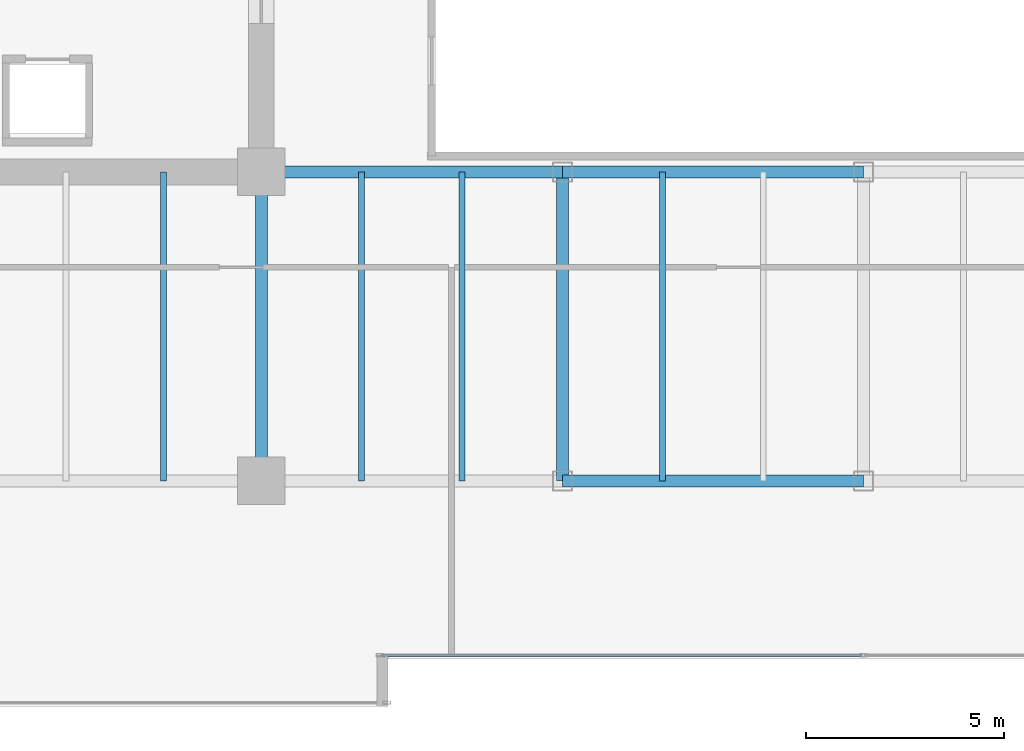
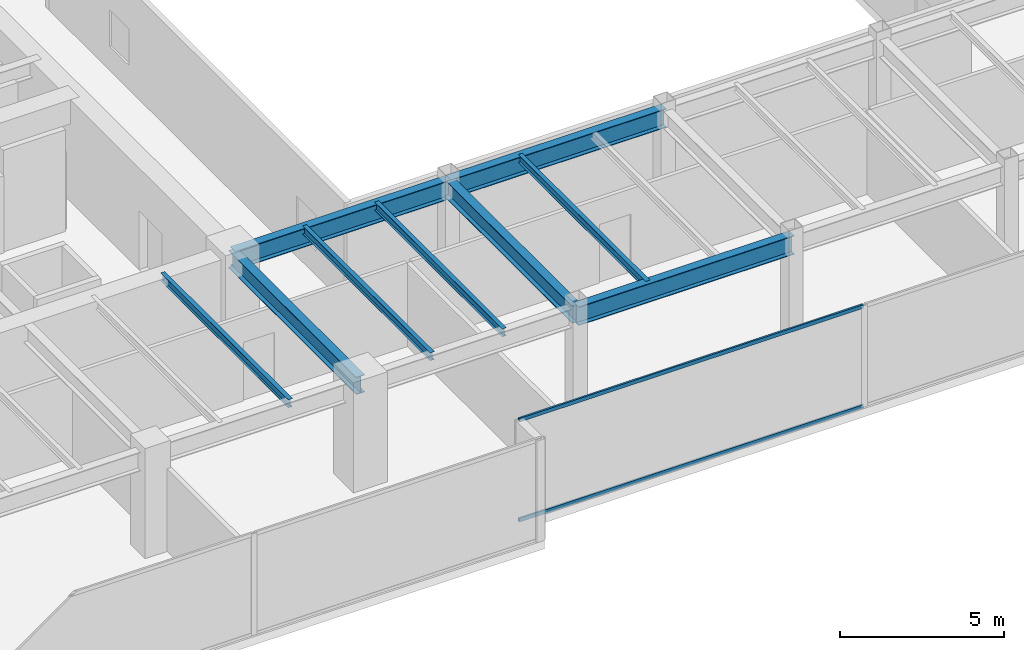
# One storey, part 5 of 30: 9 beams, 2 members, 1 element without a shape of its own.
"""IFC4 building model written with IfcOpenShell, lengths in metres."""

from ifc_helpers import new_model, si_unit, direction, frame, origin, origin_2d, place, context, subcontext, project, spatial, hollow_rectangle, i_section, extrude, source, transform, mapped, material, layer, layer_set, material_profile, profile_set, type_object, type_shapes, element, aggregate, save


model = new_model("IFC4")

# Units and contexts
model_context = context("Model", 3, precision=1e-05, world=origin(), true_north=direction((0.0, 1.0)))
body_context = subcontext(model_context, "Body", "Model", "MODEL_VIEW")
ifc_project = project(units=[si_unit("LENGTHUNIT", "METRE"), si_unit("AREAUNIT", "SQUARE_METRE"), si_unit("VOLUMEUNIT", "CUBIC_METRE"), si_unit("PLANEANGLEUNIT", "RADIAN"), si_unit("MASSUNIT", "GRAM", prefix="KILO")], contexts=[model_context])

# Site, building, storey
site_placement = place(None, origin())
site = spatial("IfcSite", under=ifc_project, at=site_placement, CompositionType="ELEMENT")
building_placement = place(site_placement, origin())
building = spatial("IfcBuilding", under=site, at=building_placement, Name="Haelvirn Gate Laboratories", CompositionType="ELEMENT")
storey_placement = place(building_placement, frame((0.0, 0.0, 105.10009765625)))
storey = spatial("IfcBuildingStorey", under=building, at=storey_placement, Name="L25", CompositionType="ELEMENT", Elevation=105.10009765625)

# Beams
ifc_material_1 = material(Name="Steel SM355", Category="steel")
ifc_material_profile_1 = material_profile(ifc_material_1, i_section(OverallWidth=0.300048828125, OverallDepth=0.64990234375, WebThickness=0.012939453125, FlangeThickness=0.02197265625, at=origin_2d()), Name="H-650x300x13x22")
ifc_profile_set_1 = profile_set([ifc_material_profile_1], Name="Steel SM355")
beam_type_1 = type_object("IfcBeamType", Name="BM-G-650", PredefinedType="BEAM", material=ifc_profile_set_1)
shared_shape_1 = source(origin(), body_context, "Body", "SweptSolid", [
    extrude(i_section(OverallWidth=0.300048828125, OverallDepth=0.64990234375, WebThickness=0.012939453125, FlangeThickness=0.02197265625, at=origin_2d()), origin(), (0.0, 0.0, 1.0), 7.800048828125),
])
type_shapes(beam_type_1, [shared_shape_1])
for number, where, z_axis, x_axis, name in (
    (1, (22.199951171875, 7.0, 3.46484375), (0.0, 1.0, 0.0), (-1.0, 0.0, 0.0), "L25 Frame Girder X22.2 (7.0-14.8)"),
    (2, (29.800048828125, 7.0, 3.46484375), (0.0, 1.0, 0.0), (-1.0, 0.0, 0.0), "L25 Frame Girder X29.8 (7.0-14.8)"),
):
    element("IfcBeam", number, at=place(storey_placement, frame(where, z_axis=z_axis, x_axis=x_axis)), inside=storey, type_object=beam_type_1, Name=name, PredefinedType="BEAM", context=body_context, shape_type="MappedRepresentation", body=[
        mapped(shared_shape_1, transform((0.0, 0.0, 0.0), scale=1.0)),
    ])
ifc_material_profile_2 = material_profile(ifc_material_1, i_section(OverallWidth=0.300048828125, OverallDepth=0.699951171875, WebThickness=0.012939453125, FlangeThickness=0.02392578125, at=origin_2d()), Name="H-700x300x13x24")
ifc_profile_set_2 = profile_set([ifc_material_profile_2], Name="Steel SM355")
beam_type_2 = type_object("IfcBeamType", Name="BM-G-700", PredefinedType="BEAM", material=ifc_profile_set_2)
shared_shape_2 = source(origin(), body_context, "Body", "SweptSolid", [
    extrude(i_section(OverallWidth=0.300048828125, OverallDepth=0.699951171875, WebThickness=0.012939453125, FlangeThickness=0.02392578125, at=origin_2d()), origin(), (0.0, 0.0, 1.0), 7.60009765625),
])
beam_placement = place(storey_placement, frame((22.199951171875, 14.800048828125, 3.43994140625), z_axis=(1.0, 0.0, 0.0), x_axis=(0.0, 1.0, 0.0)))
element("IfcBeam", 3, at=beam_placement, inside=storey, type_object=beam_type_2, Name="L25 Primary Girder Y14.8 (22.2-29.8)", PredefinedType="BEAM", context=body_context, shape_type="MappedRepresentation", body=[
    mapped(shared_shape_2, transform((0.0, 0.0, 0.0), scale=1.0)),
])
shared_shape_3 = source(origin(), body_context, "Body", "SweptSolid", [
    extrude(i_section(OverallWidth=0.300048828125, OverallDepth=0.699951171875, WebThickness=0.012939453125, FlangeThickness=0.02392578125, at=origin_2d()), origin(), (0.0, 0.0, 1.0), 7.599853515625),
])
type_shapes(beam_type_2, [shared_shape_2, shared_shape_3])
for number, where, z_axis, x_axis, name in (
    (4, (29.800048828125, 7.0, 3.43994140625), (1.0, 0.0, 0.0), (0.0, 1.0, 0.0), "L25 Primary Girder Y7.0 (29.8-37.4)"),
    (5, (29.800048828125, 14.800048828125, 3.43994140625), (1.0, 0.0, 0.0), (0.0, 1.0, 0.0), "L25 Primary Girder Y14.8 (29.8-37.4)"),
):
    element("IfcBeam", number, at=place(storey_placement, frame(where, z_axis=z_axis, x_axis=x_axis)), inside=storey, type_object=beam_type_2, Name=name, PredefinedType="BEAM", context=body_context, shape_type="MappedRepresentation", body=[
        mapped(shared_shape_3, transform((0.0, 0.0, 0.0), scale=1.0)),
    ])
ifc_material_profile_3 = material_profile(ifc_material_1, i_section(OverallWidth=0.14990234375, OverallDepth=0.300048828125, WebThickness=0.006591796875, FlangeThickness=0.009033203125, at=origin_2d()), Name="H-300x150x6.5x9")
ifc_profile_set_3 = profile_set([ifc_material_profile_3], Name="Steel SM355")
beam_type_3 = type_object("IfcBeamType", Name="BM-J-300", PredefinedType="JOIST", material=ifc_profile_set_3)
shared_shape_4 = source(origin(), body_context, "Body", "SweptSolid", [
    extrude(i_section(OverallWidth=0.14990234375, OverallDepth=0.300048828125, WebThickness=0.006591796875, FlangeThickness=0.009033203125, at=origin_2d()), origin(), (0.0, 0.0, 1.0), 7.800048828125),
])
type_shapes(beam_type_3, [shared_shape_4])
for number, where, z_axis, x_axis, name in (
    (6, (19.72998046875, 7.0, 3.639892578125), (0.0, 1.0, 0.0), (-1.0, 0.0, 0.0), "L25 Composite Lab Joist South X19.73"),
    (7, (24.72998046875, 7.0, 3.639892578125), (0.0, 1.0, 0.0), (-1.0, 0.0, 0.0), "L25 Composite Lab Joist South X24.73"),
    (8, (27.27001953125, 7.0, 3.639892578125), (0.0, 1.0, 0.0), (-1.0, 0.0, 0.0), "L25 Composite Lab Joist South X27.27"),
    (9, (32.330078125, 7.0, 3.639892578125), (0.0, 1.0, 0.0), (-1.0, 0.0, 0.0), "L25 Composite Lab Joist South X32.33"),
):
    element("IfcBeam", number, at=place(storey_placement, frame(where, z_axis=z_axis, x_axis=x_axis)), inside=storey, type_object=beam_type_3, Name=name, PredefinedType="JOIST", context=body_context, shape_type="MappedRepresentation", body=[
        mapped(shared_shape_4, transform((0.0, 0.0, 0.0), scale=1.0)),
    ])

# Curtain wall, members
ifc_material_2 = material(Name="Anodised bronze unitised aluminium & triple low-E glass", Category="aluminium")
ifc_layer = layer(ifc_material_2, 0.179931640625, Name="CW-SYS-3")
ifc_layer_set = layer_set([ifc_layer], Name="Anodised bronze unitised aluminium & triple low-E glass")
curtain_wall_type = type_object("IfcCurtainWallType", Name="CW-SYS-3", PredefinedType="NOTDEFINED", material=ifc_layer_set)
curtain_wall_placement = place(storey_placement, origin())
curtain_wall = element("IfcCurtainWall", 10, at=curtain_wall_placement, inside=storey, type_object=curtain_wall_type, Name="L25 Unitised Curtain Wall CW-L25-P0-E02-1", PredefinedType="NOTDEFINED")
ifc_material_3 = material(Name="Extruded aluminium 6063-T6 (anodised bronze)", Category="aluminium")
ifc_material_profile_4 = material_profile(ifc_material_3, hollow_rectangle(XDim=0.06494140625, YDim=0.139892578125, WallThickness=0.00390625, at=origin_2d()), Name="CWT-140x65x4")
ifc_profile_set_4 = profile_set([ifc_material_profile_4], Name="Extruded aluminium 6063-T6 (anodised bronze)")
member_type = type_object("IfcMemberType", Name="CWT-T140", PredefinedType="USERDEFINED", material=ifc_profile_set_4)
shared_shape_5 = source(origin(), body_context, "Body", "SweptSolid", [
    extrude(hollow_rectangle(XDim=0.06494140625, YDim=0.139892578125, WallThickness=0.00390625, at=origin_2d()), origin(), (0.0, 0.0, 1.0), 12.12744140625),
])
type_shapes(member_type, [shared_shape_5])
member_1_placement = place(storey_placement, frame((25.235107421875, 2.60009765625, 0.032470703125), z_axis=(1.0, 0.0, 0.0), x_axis=(0.0, 1.0, 0.0)))
member_1 = element("IfcMember", 11, at=member_1_placement, type_object=member_type, Name="CW3 transom 1.1", ObjectType="TRANSOM", PredefinedType="USERDEFINED", context=body_context, shape_type="MappedRepresentation", body=[
    mapped(shared_shape_5, transform((0.0, 0.0, 0.0), scale=1.0)),
])
member_2_placement = place(storey_placement, frame((25.235107421875, 2.60009765625, 3.75732421875), z_axis=(1.0, 0.0, 0.0), x_axis=(0.0, 1.0, 0.0)))
member_2 = element("IfcMember", 12, at=member_2_placement, type_object=member_type, Name="CW3 transom 1.2", ObjectType="TRANSOM", PredefinedType="USERDEFINED", context=body_context, shape_type="MappedRepresentation", body=[
    mapped(shared_shape_5, transform((0.0, 0.0, 0.0), scale=1.0)),
])
aggregate(curtain_wall, [member_1, member_2])

save(model, "model.ifc")
